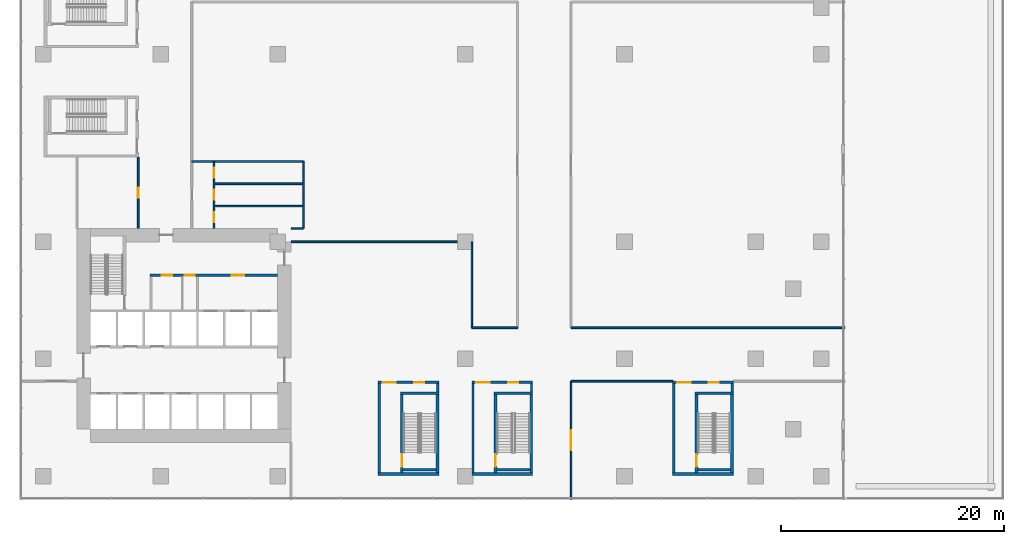
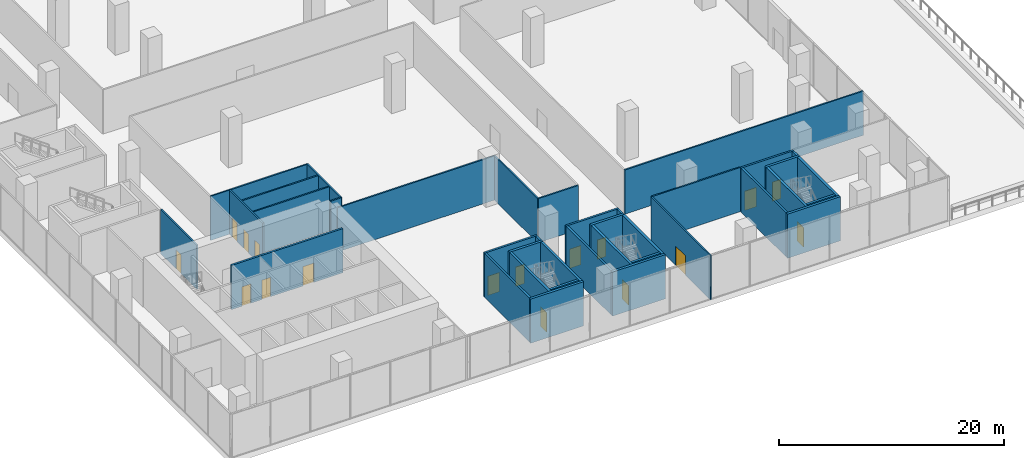
# One storey, part 14 of 23: 38 walls, 17 doors, 17 openings.
"""IFC4 building model written with IfcOpenShell, lengths in metres."""

from ifc_helpers import new_model, si_unit, direction, frame, frame_2d, origin, place, context, subcontext, project, spatial, rectangle, extrude, source, transform, mapped, material, layer, layer_set, type_object, element, fill, save


model = new_model("IFC4")

# Units and contexts
model_context = context("Model", 3, precision=1e-05, world=origin(), true_north=direction((0.0, 1.0)))
body_context = subcontext(model_context, "Body", "Model", "MODEL_VIEW")
ifc_project = project(units=[si_unit("LENGTHUNIT", "METRE"), si_unit("AREAUNIT", "SQUARE_METRE"), si_unit("VOLUMEUNIT", "CUBIC_METRE"), si_unit("PLANEANGLEUNIT", "RADIAN"), si_unit("MASSUNIT", "GRAM", prefix="KILO")], contexts=[model_context])

# Site, building, storey
site_placement = place(None, origin())
site = spatial("IfcSite", under=ifc_project, at=site_placement, CompositionType="ELEMENT")
building_placement = place(site_placement, origin())
building = spatial("IfcBuilding", under=site, at=building_placement, Name="Aurelian Terraces", CompositionType="ELEMENT")
storey_placement = place(building_placement, frame((0.0, 0.0, 18.3)))
storey = spatial("IfcBuildingStorey", under=building, at=storey_placement, Name="L03", CompositionType="ELEMENT", Elevation=18.3)

# Wall, opening, door
ifc_material_1 = material(Name="Concrete fc' 40 MPa", Category="concrete")
ifc_layer_1 = layer(ifc_material_1, 0.25)
ifc_layer_set_1 = layer_set([ifc_layer_1], Name="Stair enclosure wall 250")
wall_type_1 = type_object("IfcWallType", Name="Stair enclosure wall 250", PredefinedType="SOLIDWALL", material=ifc_layer_set_1)
shared_shape_1 = source(origin(), body_context, "Body", "SweptSolid", [
    extrude(rectangle(XDim=7.0, YDim=0.25, at=frame_2d((3.5, 0.0))), origin(), (0.0, 0.0, 1.0), 4.8),
])
wall_1_placement = place(storey_placement, frame((40.525, 0.3, 0.0), z_axis=(0.0, 0.0, 1.0), x_axis=(0.0, 1.0, 0.0)))
wall_1 = element("IfcWall", 1, at=wall_1_placement, inside=storey, type_object=wall_type_1, Name="L03 core wall ST-S2-W", PredefinedType="SOLIDWALL", context=body_context, shape_type="MappedRepresentation", body=[
    mapped(shared_shape_1, transform((0.0, 0.0, 0.0), scale=1.0)),
])
shared_shape_2 = source(origin(), body_context, "Body", "SweptSolid", [
    extrude(rectangle(XDim=1.1, YDim=2.1, at=frame_2d((0.55, 1.05))), frame((0.0, 0.135, 0.0), z_axis=(0.0, -1.0, 0.0), x_axis=(1.0, 0.0, 0.0)), (0.0, 0.0, 1.0), 0.27),
])
opening_1_placement = place(wall_1_placement, frame((0.55, 0.0, 0.0)))
opening_1 = element("IfcOpeningElement", 2, at=opening_1_placement, cuts=wall_1, Name="Opening 60614", PredefinedType="OPENING", context=body_context, shape_type="MappedRepresentation", body=[
    mapped(shared_shape_2, transform((0.0, 0.0, 0.0), scale=1.0)),
])
ifc_material_2 = material(Name="Steel door leaf", Category="steel")
door_type_1 = type_object("IfcDoorType", Name="Core fire door 1100x2100", OperationType="SINGLE_SWING_LEFT", PredefinedType="DOOR", material=ifc_material_2)
shared_shape_3 = source(origin(), body_context, "Body", "SweptSolid", [
    extrude(rectangle(XDim=1.1, YDim=2.1, at=frame_2d((0.55, 1.05))), frame((0.0, 0.025, 0.0), z_axis=(0.0, -1.0, 0.0), x_axis=(1.0, 0.0, 0.0)), (0.0, 0.0, 1.0), 0.05),
])
door_1_placement = place(opening_1_placement, origin())
door_1 = element("IfcDoor", 3, at=door_1_placement, inside=storey, type_object=door_type_1, Name="Stair door 60614", OperationType="SINGLE_SWING_LEFT", OverallHeight=2.1, OverallWidth=1.1, PredefinedType="DOOR", context=body_context, shape_type="MappedRepresentation", body=[
    mapped(shared_shape_3, transform((0.0, 0.0, 0.0), scale=1.0)),
])
fill(opening_1, door_1)

# Wall
wall_2_placement = place(storey_placement, frame((43.725, 0.3, 0.0), z_axis=(0.0, 0.0, 1.0), x_axis=(0.0, 1.0, 0.0)))
element("IfcWall", 4, at=wall_2_placement, inside=storey, type_object=wall_type_1, Name="L03 core wall ST-S2-E", PredefinedType="SOLIDWALL", context=body_context, shape_type="MappedRepresentation", body=[
    mapped(shared_shape_1, transform((0.0, 0.0, 0.0), scale=1.0)),
])

# Wall, opening, door
wall_3_placement = place(storey_placement, frame((58.525, 0.3, 0.0), z_axis=(0.0, 0.0, 1.0), x_axis=(0.0, 1.0, 0.0)))
wall_3 = element("IfcWall", 5, at=wall_3_placement, inside=storey, type_object=wall_type_1, Name="L03 core wall ST-S6-W", PredefinedType="SOLIDWALL", context=body_context, shape_type="MappedRepresentation", body=[
    mapped(shared_shape_1, transform((0.0, 0.0, 0.0), scale=1.0)),
])
opening_2_placement = place(wall_3_placement, frame((0.55, 0.0, 0.0)))
opening_2 = element("IfcOpeningElement", 6, at=opening_2_placement, cuts=wall_3, Name="Opening 60626", PredefinedType="OPENING", context=body_context, shape_type="MappedRepresentation", body=[
    mapped(shared_shape_2, transform((0.0, 0.0, 0.0), scale=1.0)),
])
door_2_placement = place(opening_2_placement, origin())
door_2 = element("IfcDoor", 7, at=door_2_placement, inside=storey, type_object=door_type_1, Name="Stair door 60626", OperationType="SINGLE_SWING_LEFT", OverallHeight=2.1, OverallWidth=1.1, PredefinedType="DOOR", context=body_context, shape_type="MappedRepresentation", body=[
    mapped(shared_shape_3, transform((0.0, 0.0, 0.0), scale=1.0)),
])
fill(opening_2, door_2)

# Wall
wall_4_placement = place(storey_placement, frame((61.725, 0.3, 0.0), z_axis=(0.0, 0.0, 1.0), x_axis=(0.0, 1.0, 0.0)))
element("IfcWall", 8, at=wall_4_placement, inside=storey, type_object=wall_type_1, Name="L03 core wall ST-S6-E", PredefinedType="SOLIDWALL", context=body_context, shape_type="MappedRepresentation", body=[
    mapped(shared_shape_1, transform((0.0, 0.0, 0.0), scale=1.0)),
])

# Wall, opening, door
wall_5_placement = place(storey_placement, frame((32.125, 0.3, 0.0), z_axis=(0.0, 0.0, 1.0), x_axis=(0.0, 1.0, 0.0)))
wall_5 = element("IfcWall", 9, at=wall_5_placement, inside=storey, type_object=wall_type_1, Name="L03 core wall ST-S7-W", PredefinedType="SOLIDWALL", context=body_context, shape_type="MappedRepresentation", body=[
    mapped(shared_shape_1, transform((0.0, 0.0, 0.0), scale=1.0)),
])
opening_3_placement = place(wall_5_placement, frame((0.55, 0.0, 0.0)))
opening_3 = element("IfcOpeningElement", 10, at=opening_3_placement, cuts=wall_5, Name="Opening 60629", PredefinedType="OPENING", context=body_context, shape_type="MappedRepresentation", body=[
    mapped(shared_shape_2, transform((0.0, 0.0, 0.0), scale=1.0)),
])
door_type_2 = type_object("IfcDoorType", Name="Core fire door 1100x2100 right", OperationType="SINGLE_SWING_RIGHT", PredefinedType="DOOR", material=ifc_material_2)
door_3_placement = place(opening_3_placement, origin())
door_3 = element("IfcDoor", 11, at=door_3_placement, inside=storey, type_object=door_type_2, Name="Stair door 60629", OperationType="SINGLE_SWING_RIGHT", OverallHeight=2.1, OverallWidth=1.1, PredefinedType="DOOR", context=body_context, shape_type="MappedRepresentation", body=[
    mapped(shared_shape_3, transform((0.0, 0.0, 0.0), scale=1.0)),
])
fill(opening_3, door_3)

# Walls
wall_6_placement = place(storey_placement, frame((35.325, 0.3, 0.0), z_axis=(0.0, 0.0, 1.0), x_axis=(0.0, 1.0, 0.0)))
element("IfcWall", 12, at=wall_6_placement, inside=storey, type_object=wall_type_1, Name="L03 core wall ST-S7-E", PredefinedType="SOLIDWALL", context=body_context, shape_type="MappedRepresentation", body=[
    mapped(shared_shape_1, transform((0.0, 0.0, 0.0), scale=1.0)),
])
shared_shape_4 = source(origin(), body_context, "Body", "SweptSolid", [
    extrude(rectangle(XDim=3.45, YDim=0.25, at=frame_2d((1.725, 0.0))), origin(), (0.0, 0.0, 1.0), 4.8),
])
for number, where, z_axis, x_axis, name in (
    (13, (40.4, 7.425, 0.0), (0.0, 0.0, 1.0), (1.0, 0.0, 0.0), "L03 core wall ST-S2-N"),
    (14, (58.4, 7.425, 0.0), (0.0, 0.0, 1.0), (1.0, 0.0, 0.0), "L03 core wall ST-S6-N"),
    (15, (32.0, 7.425, 0.0), (0.0, 0.0, 1.0), (1.0, 0.0, 0.0), "L03 core wall ST-S7-N"),
):
    element("IfcWall", number, at=place(storey_placement, frame(where, z_axis=z_axis, x_axis=x_axis)), inside=storey, type_object=wall_type_1, Name=name, PredefinedType="SOLIDWALL", context=body_context, shape_type="MappedRepresentation", body=[
        mapped(shared_shape_4, transform((0.0, 0.0, 0.0), scale=1.0)),
    ])
shared_shape_5 = source(origin(), body_context, "Body", "SweptSolid", [
    extrude(rectangle(XDim=2.95, YDim=0.25, at=frame_2d((1.475, 0.0))), origin(), (0.0, 0.0, 1.0), 4.8),
])
for number, where, z_axis, x_axis, name in (
    (16, (40.65, 0.575, 0.0), (0.0, 0.0, 1.0), (1.0, 0.0, 0.0), "L03 core wall ST-S2-SS"),
    (17, (58.65, 0.575, 0.0), (0.0, 0.0, 1.0), (1.0, 0.0, 0.0), "L03 core wall ST-S6-SS"),
    (18, (32.25, 0.575, 0.0), (0.0, 0.0, 1.0), (1.0, 0.0, 0.0), "L03 core wall ST-S7-SS"),
):
    element("IfcWall", number, at=place(storey_placement, frame(where, z_axis=z_axis, x_axis=x_axis)), inside=storey, type_object=wall_type_1, Name=name, PredefinedType="SOLIDWALL", context=body_context, shape_type="MappedRepresentation", body=[
        mapped(shared_shape_5, transform((0.0, 0.0, 0.0), scale=1.0)),
    ])
ifc_material_3 = material(Name="Gypsum board on steel studs", Category="steel")
ifc_layer_2 = layer(ifc_material_3, 0.2)
ifc_layer_set_2 = layer_set([ifc_layer_2], Name="Core partition 200")
wall_type_2 = type_object("IfcWallType", Name="Core partition 200", PredefinedType="PARTITIONING", material=ifc_layer_set_2)
shared_shape_6 = source(origin(), body_context, "Body", "SweptSolid", [
    extrude(rectangle(XDim=8.0, YDim=0.2, at=frame_2d((4.0, 0.0))), origin(), (0.0, 0.0, 1.0), 4.8),
])
for number, where, z_axis, x_axis, name in (
    (19, (38.5, 0.3, 0.0), (0.0, 0.0, 1.0), (0.0, 1.0, 0.0), "L03 core wall ST-S2-VW"),
    (20, (56.5, 0.3, 0.0), (0.0, 0.0, 1.0), (0.0, 1.0, 0.0), "L03 core wall ST-S6-VW"),
    (21, (30.1, 0.3, 0.0), (0.0, 0.0, 1.0), (0.0, 1.0, 0.0), "L03 core wall ST-S7-VW"),
):
    element("IfcWall", number, at=place(storey_placement, frame(where, z_axis=z_axis, x_axis=x_axis)), inside=storey, type_object=wall_type_2, Name=name, PredefinedType="PARTITIONING", context=body_context, shape_type="MappedRepresentation", body=[
        mapped(shared_shape_6, transform((0.0, 0.0, 0.0), scale=1.0)),
    ])

# Wall, openings, doors
shared_shape_7 = source(origin(), body_context, "Body", "SweptSolid", [
    extrude(rectangle(XDim=5.45, YDim=0.2, at=frame_2d((2.725, 0.0))), origin(), (0.0, 0.0, 1.0), 4.8),
])
wall_7_placement = place(storey_placement, frame((38.4, 8.4, 0.0), z_axis=(0.0, 0.0, 1.0), x_axis=(1.0, 0.0, 0.0)))
wall_7 = element("IfcWall", 22, at=wall_7_placement, inside=storey, type_object=wall_type_2, Name="L03 core wall ST-S2-BN", PredefinedType="PARTITIONING", context=body_context, shape_type="MappedRepresentation", body=[
    mapped(shared_shape_7, transform((0.0, 0.0, 0.0), scale=1.0)),
])
shared_shape_8 = source(origin(), body_context, "Body", "SweptSolid", [
    extrude(rectangle(XDim=1.2, YDim=2.1, at=frame_2d((0.6, 1.05))), frame((0.0, 0.11, 0.0), z_axis=(0.0, -1.0, 0.0), x_axis=(1.0, 0.0, 0.0)), (0.0, 0.0, 1.0), 0.22),
])
opening_4_placement = place(wall_7_placement, frame((0.4, 0.0, 0.0)))
opening_4 = element("IfcOpeningElement", 23, at=opening_4_placement, cuts=wall_7, Name="Opening 60615", PredefinedType="OPENING", context=body_context, shape_type="MappedRepresentation", body=[
    mapped(shared_shape_8, transform((0.0, 0.0, 0.0), scale=1.0)),
])
shared_shape_9 = source(origin(), body_context, "Body", "SweptSolid", [
    extrude(rectangle(XDim=0.9, YDim=2.1, at=frame_2d((0.45, 1.05))), frame((0.0, 0.11, 0.0), z_axis=(0.0, -1.0, 0.0), x_axis=(1.0, 0.0, 0.0)), (0.0, 0.0, 1.0), 0.22),
])
opening_5_placement = place(wall_7_placement, frame((3.25, 0.0, 0.0)))
opening_5 = element("IfcOpeningElement", 24, at=opening_5_placement, cuts=wall_7, Name="Opening 60616", PredefinedType="OPENING", context=body_context, shape_type="MappedRepresentation", body=[
    mapped(shared_shape_9, transform((0.0, 0.0, 0.0), scale=1.0)),
])
door_type_3 = type_object("IfcDoorType", Name="Core riser door 900x2100", OperationType="SINGLE_SWING_LEFT", PredefinedType="DOOR", material=ifc_material_2)
shared_shape_10 = source(origin(), body_context, "Body", "SweptSolid", [
    extrude(rectangle(XDim=0.9, YDim=2.1, at=frame_2d((0.45, 1.05))), frame((0.0, 0.025, 0.0), z_axis=(0.0, -1.0, 0.0), x_axis=(1.0, 0.0, 0.0)), (0.0, 0.0, 1.0), 0.05),
])
door_4_placement = place(opening_5_placement, origin())
door_4 = element("IfcDoor", 25, at=door_4_placement, inside=storey, type_object=door_type_3, Name="Riser door 60616", OperationType="SINGLE_SWING_LEFT", OverallHeight=2.1, OverallWidth=0.9, PredefinedType="DOOR", context=body_context, shape_type="MappedRepresentation", body=[
    mapped(shared_shape_10, transform((0.0, 0.0, 0.0), scale=1.0)),
])
fill(opening_5, door_4)
door_type_4 = type_object("IfcDoorType", Name="Core fire door 1200x2100 right", OperationType="SINGLE_SWING_RIGHT", PredefinedType="DOOR", material=ifc_material_2)
shared_shape_11 = source(origin(), body_context, "Body", "SweptSolid", [
    extrude(rectangle(XDim=1.2, YDim=2.1, at=frame_2d((0.6, 1.05))), frame((0.0, 0.025, 0.0), z_axis=(0.0, -1.0, 0.0), x_axis=(1.0, 0.0, 0.0)), (0.0, 0.0, 1.0), 0.05),
])
door_5_placement = place(opening_4_placement, origin())
door_5 = element("IfcDoor", 26, at=door_5_placement, inside=storey, type_object=door_type_4, Name="Vestibule door 60615", OperationType="SINGLE_SWING_RIGHT", OverallHeight=2.1, OverallWidth=1.2, PredefinedType="DOOR", context=body_context, shape_type="MappedRepresentation", body=[
    mapped(shared_shape_11, transform((0.0, 0.0, 0.0), scale=1.0)),
])
fill(opening_4, door_5)

wall_8_placement = place(storey_placement, frame((56.4, 8.4, 0.0), z_axis=(0.0, 0.0, 1.0), x_axis=(1.0, 0.0, 0.0)))
wall_8 = element("IfcWall", 27, at=wall_8_placement, inside=storey, type_object=wall_type_2, Name="L03 core wall ST-S6-BN", PredefinedType="PARTITIONING", context=body_context, shape_type="MappedRepresentation", body=[
    mapped(shared_shape_7, transform((0.0, 0.0, 0.0), scale=1.0)),
])
opening_6_placement = place(wall_8_placement, frame((0.4, 0.0, 0.0)))
opening_6 = element("IfcOpeningElement", 28, at=opening_6_placement, cuts=wall_8, Name="Opening 60627", PredefinedType="OPENING", context=body_context, shape_type="MappedRepresentation", body=[
    mapped(shared_shape_8, transform((0.0, 0.0, 0.0), scale=1.0)),
])
opening_7_placement = place(wall_8_placement, frame((3.25, 0.0, 0.0)))
opening_7 = element("IfcOpeningElement", 29, at=opening_7_placement, cuts=wall_8, Name="Opening 60628", PredefinedType="OPENING", context=body_context, shape_type="MappedRepresentation", body=[
    mapped(shared_shape_9, transform((0.0, 0.0, 0.0), scale=1.0)),
])
door_6_placement = place(opening_7_placement, origin())
door_6 = element("IfcDoor", 30, at=door_6_placement, inside=storey, type_object=door_type_3, Name="Riser door 60628", OperationType="SINGLE_SWING_LEFT", OverallHeight=2.1, OverallWidth=0.9, PredefinedType="DOOR", context=body_context, shape_type="MappedRepresentation", body=[
    mapped(shared_shape_10, transform((0.0, 0.0, 0.0), scale=1.0)),
])
fill(opening_7, door_6)
door_7_placement = place(opening_6_placement, origin())
door_7 = element("IfcDoor", 31, at=door_7_placement, inside=storey, type_object=door_type_4, Name="Vestibule door 60627", OperationType="SINGLE_SWING_RIGHT", OverallHeight=2.1, OverallWidth=1.2, PredefinedType="DOOR", context=body_context, shape_type="MappedRepresentation", body=[
    mapped(shared_shape_11, transform((0.0, 0.0, 0.0), scale=1.0)),
])
fill(opening_6, door_7)

wall_9_placement = place(storey_placement, frame((30.0, 8.4, 0.0), z_axis=(0.0, 0.0, 1.0), x_axis=(1.0, 0.0, 0.0)))
wall_9 = element("IfcWall", 32, at=wall_9_placement, inside=storey, type_object=wall_type_2, Name="L03 core wall ST-S7-BN", PredefinedType="PARTITIONING", context=body_context, shape_type="MappedRepresentation", body=[
    mapped(shared_shape_7, transform((0.0, 0.0, 0.0), scale=1.0)),
])
opening_8_placement = place(wall_9_placement, frame((0.4, 0.0, 0.0)))
opening_8 = element("IfcOpeningElement", 33, at=opening_8_placement, cuts=wall_9, Name="Opening 60630", PredefinedType="OPENING", context=body_context, shape_type="MappedRepresentation", body=[
    mapped(shared_shape_8, transform((0.0, 0.0, 0.0), scale=1.0)),
])
opening_9_placement = place(wall_9_placement, frame((3.25, 0.0, 0.0)))
opening_9 = element("IfcOpeningElement", 34, at=opening_9_placement, cuts=wall_9, Name="Opening 60631", PredefinedType="OPENING", context=body_context, shape_type="MappedRepresentation", body=[
    mapped(shared_shape_9, transform((0.0, 0.0, 0.0), scale=1.0)),
])
door_type_5 = type_object("IfcDoorType", Name="Core riser door 900x2100 right", OperationType="SINGLE_SWING_RIGHT", PredefinedType="DOOR", material=ifc_material_2)
door_8_placement = place(opening_9_placement, origin())
door_8 = element("IfcDoor", 35, at=door_8_placement, inside=storey, type_object=door_type_5, Name="Riser door 60631", OperationType="SINGLE_SWING_RIGHT", OverallHeight=2.1, OverallWidth=0.9, PredefinedType="DOOR", context=body_context, shape_type="MappedRepresentation", body=[
    mapped(shared_shape_10, transform((0.0, 0.0, 0.0), scale=1.0)),
])
fill(opening_9, door_8)
door_type_6 = type_object("IfcDoorType", Name="Core fire door 1200x2100", OperationType="SINGLE_SWING_LEFT", PredefinedType="DOOR", material=ifc_material_2)
door_9_placement = place(opening_8_placement, origin())
door_9 = element("IfcDoor", 36, at=door_9_placement, inside=storey, type_object=door_type_6, Name="Vestibule door 60630", OperationType="SINGLE_SWING_LEFT", OverallHeight=2.1, OverallWidth=1.2, PredefinedType="DOOR", context=body_context, shape_type="MappedRepresentation", body=[
    mapped(shared_shape_11, transform((0.0, 0.0, 0.0), scale=1.0)),
])
fill(opening_8, door_9)

# Walls
shared_shape_12 = source(origin(), body_context, "Body", "SweptSolid", [
    extrude(rectangle(XDim=0.75, YDim=0.2, at=frame_2d((0.375, 0.0))), origin(), (0.0, 0.0, 1.0), 4.8),
])
for number, where, z_axis, x_axis, name in (
    (37, (43.75, 7.55, 0.0), (0.0, 0.0, 1.0), (0.0, 1.0, 0.0), "L03 core wall ST-S2-RE"),
    (38, (61.75, 7.55, 0.0), (0.0, 0.0, 1.0), (0.0, 1.0, 0.0), "L03 core wall ST-S6-RE"),
    (39, (35.35, 7.55, 0.0), (0.0, 0.0, 1.0), (0.0, 1.0, 0.0), "L03 core wall ST-S7-RE"),
):
    element("IfcWall", number, at=place(storey_placement, frame(where, z_axis=z_axis, x_axis=x_axis)), inside=storey, type_object=wall_type_2, Name=name, PredefinedType="PARTITIONING", context=body_context, shape_type="MappedRepresentation", body=[
        mapped(shared_shape_12, transform((0.0, 0.0, 0.0), scale=1.0)),
    ])
shared_shape_13 = source(origin(), body_context, "Body", "SweptSolid", [
    extrude(rectangle(XDim=5.45, YDim=0.25, at=frame_2d((2.725, 0.0))), origin(), (0.0, 0.0, 1.0), 4.8),
])
for number, where, z_axis, x_axis, name in (
    (40, (38.4, 0.175, 0.0), (0.0, 0.0, 1.0), (1.0, 0.0, 0.0), "L03 core wall ST-S2-S"),
    (41, (56.4, 0.175, 0.0), (0.0, 0.0, 1.0), (1.0, 0.0, 0.0), "L03 core wall ST-S6-S"),
    (42, (30.0, 0.175, 0.0), (0.0, 0.0, 1.0), (1.0, 0.0, 0.0), "L03 core wall ST-S7-S"),
):
    element("IfcWall", number, at=place(storey_placement, frame(where, z_axis=z_axis, x_axis=x_axis)), inside=storey, type_object=wall_type_1, Name=name, PredefinedType="SOLIDWALL", context=body_context, shape_type="MappedRepresentation", body=[
        mapped(shared_shape_13, transform((0.0, 0.0, 0.0), scale=1.0)),
    ])

# Wall, openings, doors
shared_shape_14 = source(origin(), body_context, "Body", "SweptSolid", [
    extrude(rectangle(XDim=11.45, YDim=0.2, at=frame_2d((5.725, 0.0))), origin(), (0.0, 0.0, 1.0), 4.8),
])
wall_10_placement = place(storey_placement, frame((9.55, 18.0, 0.0), z_axis=(0.0, 0.0, 1.0), x_axis=(1.0, 0.0, 0.0)))
wall_10 = element("IfcWall", 43, at=wall_10_placement, inside=storey, type_object=wall_type_2, Name="L03 core wall CP-NORTH", PredefinedType="PARTITIONING", context=body_context, shape_type="MappedRepresentation", body=[
    mapped(shared_shape_14, transform((0.0, 0.0, 0.0), scale=1.0)),
])
opening_10_placement = place(wall_10_placement, frame((1.075, 0.0, 0.0)))
opening_10 = element("IfcOpeningElement", 44, at=opening_10_placement, cuts=wall_10, Name="Opening 60611", PredefinedType="OPENING", context=body_context, shape_type="MappedRepresentation", body=[
    mapped(shared_shape_9, transform((0.0, 0.0, 0.0), scale=1.0)),
])
opening_11_placement = place(wall_10_placement, frame((3.125, 0.0, 0.0)))
opening_11 = element("IfcOpeningElement", 45, at=opening_11_placement, cuts=wall_10, Name="Opening 60612", PredefinedType="OPENING", context=body_context, shape_type="MappedRepresentation", body=[
    mapped(shared_shape_9, transform((0.0, 0.0, 0.0), scale=1.0)),
])
shared_shape_15 = source(origin(), body_context, "Body", "SweptSolid", [
    extrude(rectangle(XDim=1.1, YDim=2.1, at=frame_2d((0.55, 1.05))), frame((0.0, 0.11, 0.0), z_axis=(0.0, -1.0, 0.0), x_axis=(1.0, 0.0, 0.0)), (0.0, 0.0, 1.0), 0.22),
])
opening_12_placement = place(wall_10_placement, frame((7.35, 0.0, 0.0)))
opening_12 = element("IfcOpeningElement", 46, at=opening_12_placement, cuts=wall_10, Name="Opening 60613", PredefinedType="OPENING", context=body_context, shape_type="MappedRepresentation", body=[
    mapped(shared_shape_15, transform((0.0, 0.0, 0.0), scale=1.0)),
])
door_type_7 = type_object("IfcDoorType", Name="Core service door 900x2100 right", OperationType="SINGLE_SWING_RIGHT", PredefinedType="DOOR", material=ifc_material_2)
door_10_placement = place(opening_10_placement, origin())
door_10 = element("IfcDoor", 47, at=door_10_placement, inside=storey, type_object=door_type_7, Name="Room door 60611", OperationType="SINGLE_SWING_RIGHT", OverallHeight=2.1, OverallWidth=0.9, PredefinedType="DOOR", context=body_context, shape_type="MappedRepresentation", body=[
    mapped(shared_shape_10, transform((0.0, 0.0, 0.0), scale=1.0)),
])
fill(opening_10, door_10)
door_11_placement = place(opening_11_placement, origin())
door_11 = element("IfcDoor", 48, at=door_11_placement, inside=storey, type_object=door_type_3, Name="Room door 60612", OperationType="SINGLE_SWING_LEFT", OverallHeight=2.1, OverallWidth=0.9, PredefinedType="DOOR", context=body_context, shape_type="MappedRepresentation", body=[
    mapped(shared_shape_10, transform((0.0, 0.0, 0.0), scale=1.0)),
])
fill(opening_11, door_11)
door_12_placement = place(opening_12_placement, origin())
door_12 = element("IfcDoor", 49, at=door_12_placement, inside=storey, type_object=door_type_2, Name="Ff lobby door 60613", OperationType="SINGLE_SWING_RIGHT", OverallHeight=2.1, OverallWidth=1.1, PredefinedType="DOOR", context=body_context, shape_type="MappedRepresentation", body=[
    mapped(shared_shape_3, transform((0.0, 0.0, 0.0), scale=1.0)),
])
fill(opening_12, door_12)

# Walls
ifc_layer_3 = layer(ifc_material_3, 0.15)
ifc_layer_set_3 = layer_set([ifc_layer_3], Name="Special partition 150")
wall_type_3 = type_object("IfcWallType", Name="Special partition 150", PredefinedType="PARTITIONING", material=ifc_layer_set_3)
shared_shape_16 = source(origin(), body_context, "Body", "SweptSolid", [
    extrude(rectangle(XDim=8.0, YDim=0.15, at=frame_2d((4.0, 0.0))), origin(), (0.0, 0.0, 1.0), 4.8),
])
for number, where, z_axis, x_axis, name in (
    (50, (15.3, 24.2, 0.0), (0.0, 0.0, 1.0), (1.0, 0.0, 0.0), "L03 partition W08"),
    (51, (15.3, 26.2, 0.0), (0.0, 0.0, 1.0), (1.0, 0.0, 0.0), "L03 partition W09"),
):
    element("IfcWall", number, at=place(storey_placement, frame(where, z_axis=z_axis, x_axis=x_axis)), inside=storey, type_object=wall_type_3, Name=name, PredefinedType="PARTITIONING", context=body_context, shape_type="MappedRepresentation", body=[
        mapped(shared_shape_16, transform((0.0, 0.0, 0.0), scale=1.0)),
    ])

# Wall, opening, door
shared_shape_17 = source(origin(), body_context, "Body", "SweptSolid", [
    extrude(rectangle(XDim=10.6, YDim=0.15, at=frame_2d((5.3, 0.0))), origin(), (0.0, 0.0, 1.0), 4.8),
])
wall_11_placement = place(storey_placement, frame((47.3, -2.1, 0.0), z_axis=(0.0, 0.0, 1.0), x_axis=(0.0, 1.0, 0.0)))
wall_11 = element("IfcWall", 52, at=wall_11_placement, inside=storey, type_object=wall_type_3, Name="L03 partition W28", PredefinedType="PARTITIONING", context=body_context, shape_type="MappedRepresentation", body=[
    mapped(shared_shape_17, transform((0.0, 0.0, 0.0), scale=1.0)),
])
shared_shape_18 = source(origin(), body_context, "Body", "SweptSolid", [
    extrude(rectangle(XDim=1.8, YDim=2.1, at=frame_2d((0.9, 1.05))), frame((0.0, 0.085, 0.0), z_axis=(0.0, -1.0, 0.0), x_axis=(1.0, 0.0, 0.0)), (0.0, 0.0, 1.0), 0.17),
])
opening_13_placement = place(wall_11_placement, frame((4.4, 0.0, 0.0)))
opening_13 = element("IfcOpeningElement", 53, at=opening_13_placement, cuts=wall_11, Name="Opening 70610", PredefinedType="OPENING", context=body_context, shape_type="MappedRepresentation", body=[
    mapped(shared_shape_18, transform((0.0, 0.0, 0.0), scale=1.0)),
])
ifc_material_4 = material(Name="Timber door leaf", Category="wood")
door_type_8 = type_object("IfcDoorType", Name="Special double door 1800x2100", OperationType="DOUBLE_DOOR_SINGLE_SWING", PredefinedType="DOOR", material=ifc_material_4)
shared_shape_19 = source(origin(), body_context, "Body", "SweptSolid", [
    extrude(rectangle(XDim=1.8, YDim=2.1, at=frame_2d((0.9, 1.05))), frame((0.0, 0.025, 0.0), z_axis=(0.0, -1.0, 0.0), x_axis=(1.0, 0.0, 0.0)), (0.0, 0.0, 1.0), 0.05),
])
door_13_placement = place(opening_13_placement, origin())
door_13 = element("IfcDoor", 54, at=door_13_placement, inside=storey, type_object=door_type_8, Name="Door 70610", OperationType="DOUBLE_DOOR_SINGLE_SWING", OverallHeight=2.1, OverallWidth=1.8, PredefinedType="DOOR", context=body_context, shape_type="MappedRepresentation", body=[
    mapped(shared_shape_19, transform((0.0, 0.0, 0.0), scale=1.0)),
])
fill(opening_13, door_13)

shared_shape_20 = source(origin(), body_context, "Body", "SweptSolid", [
    extrude(rectangle(XDim=6.4, YDim=0.15, at=frame_2d((3.2, 0.0))), origin(), (0.0, 0.0, 1.0), 4.8),
])
wall_12_placement = place(storey_placement, frame((8.5, 22.2, 0.0), z_axis=(0.0, 0.0, 1.0), x_axis=(0.0, 1.0, 0.0)))
wall_12 = element("IfcWall", 55, at=wall_12_placement, inside=storey, type_object=wall_type_3, Name="L03 partition W17", PredefinedType="PARTITIONING", context=body_context, shape_type="MappedRepresentation", body=[
    mapped(shared_shape_20, transform((0.0, 0.0, 0.0), scale=1.0)),
])
shared_shape_21 = source(origin(), body_context, "Body", "SweptSolid", [
    extrude(rectangle(XDim=0.9, YDim=2.1, at=frame_2d((0.45, 1.05))), frame((0.0, 0.085, 0.0), z_axis=(0.0, -1.0, 0.0), x_axis=(1.0, 0.0, 0.0)), (0.0, 0.0, 1.0), 0.17),
])
opening_14_placement = place(wall_12_placement, frame((2.75, 0.0, 0.0)))
opening_14 = element("IfcOpeningElement", 56, at=opening_14_placement, cuts=wall_12, Name="Opening 70603", PredefinedType="OPENING", context=body_context, shape_type="MappedRepresentation", body=[
    mapped(shared_shape_21, transform((0.0, 0.0, 0.0), scale=1.0)),
])
door_type_9 = type_object("IfcDoorType", Name="Special door 900x2100 right", OperationType="SINGLE_SWING_RIGHT", PredefinedType="DOOR", material=ifc_material_4)
door_14_placement = place(opening_14_placement, origin())
door_14 = element("IfcDoor", 57, at=door_14_placement, inside=storey, type_object=door_type_9, Name="Door 70603", OperationType="SINGLE_SWING_RIGHT", OverallHeight=2.1, OverallWidth=0.9, PredefinedType="DOOR", context=body_context, shape_type="MappedRepresentation", body=[
    mapped(shared_shape_10, transform((0.0, 0.0, 0.0), scale=1.0)),
])
fill(opening_14, door_14)

# Wall, openings, doors
shared_shape_22 = source(origin(), body_context, "Body", "SweptSolid", [
    extrude(rectangle(XDim=6.0, YDim=0.15, at=frame_2d((3.0, 0.0))), origin(), (0.0, 0.0, 1.0), 4.8),
])
wall_13_placement = place(storey_placement, frame((15.3, 22.2, 0.0), z_axis=(0.0, 0.0, 1.0), x_axis=(0.0, 1.0, 0.0)))
wall_13 = element("IfcWall", 58, at=wall_13_placement, inside=storey, type_object=wall_type_3, Name="L03 partition W22", PredefinedType="PARTITIONING", context=body_context, shape_type="MappedRepresentation", body=[
    mapped(shared_shape_22, transform((0.0, 0.0, 0.0), scale=1.0)),
])
opening_15_placement = place(wall_13_placement, frame((0.55, 0.0, 0.0)))
opening_15 = element("IfcOpeningElement", 59, at=opening_15_placement, cuts=wall_13, Name="Opening 70606", PredefinedType="OPENING", context=body_context, shape_type="MappedRepresentation", body=[
    mapped(shared_shape_21, transform((0.0, 0.0, 0.0), scale=1.0)),
])
opening_16_placement = place(wall_13_placement, frame((2.55, 0.0, 0.0)))
opening_16 = element("IfcOpeningElement", 60, at=opening_16_placement, cuts=wall_13, Name="Opening 70607", PredefinedType="OPENING", context=body_context, shape_type="MappedRepresentation", body=[
    mapped(shared_shape_21, transform((0.0, 0.0, 0.0), scale=1.0)),
])
opening_17_placement = place(wall_13_placement, frame((4.55, 0.0, 0.0)))
opening_17 = element("IfcOpeningElement", 61, at=opening_17_placement, cuts=wall_13, Name="Opening 70608", PredefinedType="OPENING", context=body_context, shape_type="MappedRepresentation", body=[
    mapped(shared_shape_21, transform((0.0, 0.0, 0.0), scale=1.0)),
])
door_type_10 = type_object("IfcDoorType", Name="Special door 900x2100", OperationType="SINGLE_SWING_LEFT", PredefinedType="DOOR", material=ifc_material_4)
door_15_placement = place(opening_15_placement, origin())
door_15 = element("IfcDoor", 62, at=door_15_placement, inside=storey, type_object=door_type_10, Name="Door 70606", OperationType="SINGLE_SWING_LEFT", OverallHeight=2.1, OverallWidth=0.9, PredefinedType="DOOR", context=body_context, shape_type="MappedRepresentation", body=[
    mapped(shared_shape_10, transform((0.0, 0.0, 0.0), scale=1.0)),
])
fill(opening_15, door_15)
door_16_placement = place(opening_16_placement, origin())
door_16 = element("IfcDoor", 63, at=door_16_placement, inside=storey, type_object=door_type_9, Name="Door 70607", OperationType="SINGLE_SWING_RIGHT", OverallHeight=2.1, OverallWidth=0.9, PredefinedType="DOOR", context=body_context, shape_type="MappedRepresentation", body=[
    mapped(shared_shape_10, transform((0.0, 0.0, 0.0), scale=1.0)),
])
fill(opening_16, door_16)
door_17_placement = place(opening_17_placement, origin())
door_17 = element("IfcDoor", 64, at=door_17_placement, inside=storey, type_object=door_type_10, Name="Door 70608", OperationType="SINGLE_SWING_LEFT", OverallHeight=2.1, OverallWidth=0.9, PredefinedType="DOOR", context=body_context, shape_type="MappedRepresentation", body=[
    mapped(shared_shape_10, transform((0.0, 0.0, 0.0), scale=1.0)),
])
fill(opening_17, door_17)

# Walls
wall_14_placement = place(storey_placement, frame((23.3, 22.2, 0.0), z_axis=(0.0, 0.0, 1.0), x_axis=(0.0, 1.0, 0.0)))
element("IfcWall", 65, at=wall_14_placement, inside=storey, type_object=wall_type_3, Name="L03 partition W24", PredefinedType="PARTITIONING", context=body_context, shape_type="MappedRepresentation", body=[
    mapped(shared_shape_22, transform((0.0, 0.0, 0.0), scale=1.0)),
])
shared_shape_23 = source(origin(), body_context, "Body", "SweptSolid", [
    extrude(rectangle(XDim=9.1, YDim=0.15, at=frame_2d((4.55, 0.0))), origin(), (0.0, 0.0, 1.0), 4.8),
])
wall_15_placement = place(storey_placement, frame((47.3, 8.5, 0.0), z_axis=(0.0, 0.0, 1.0), x_axis=(1.0, 0.0, 0.0)))
element("IfcWall", 66, at=wall_15_placement, inside=storey, type_object=wall_type_3, Name="L03 partition W02", PredefinedType="PARTITIONING", context=body_context, shape_type="MappedRepresentation", body=[
    mapped(shared_shape_23, transform((0.0, 0.0, 0.0), scale=1.0)),
])
shared_shape_24 = source(origin(), body_context, "Body", "SweptSolid", [
    extrude(rectangle(XDim=4.1, YDim=0.15, at=frame_2d((2.05, 0.0))), origin(), (0.0, 0.0, 1.0), 4.8),
])
wall_16_placement = place(storey_placement, frame((38.4, 13.3, 0.0), z_axis=(0.0, 0.0, 1.0), x_axis=(1.0, 0.0, 0.0)))
element("IfcWall", 67, at=wall_16_placement, inside=storey, type_object=wall_type_3, Name="L03 partition W04", PredefinedType="PARTITIONING", context=body_context, shape_type="MappedRepresentation", body=[
    mapped(shared_shape_24, transform((0.0, 0.0, 0.0), scale=1.0)),
])
shared_shape_25 = source(origin(), body_context, "Body", "SweptSolid", [
    extrude(rectangle(XDim=16.2, YDim=0.15, at=frame_2d((8.1, 0.0))), origin(), (0.0, 0.0, 1.0), 4.8),
])
wall_17_placement = place(storey_placement, frame((22.2, 21.0, 0.0), z_axis=(0.0, 0.0, 1.0), x_axis=(1.0, 0.0, 0.0)))
element("IfcWall", 68, at=wall_17_placement, inside=storey, type_object=wall_type_3, Name="L03 partition W06", PredefinedType="PARTITIONING", context=body_context, shape_type="MappedRepresentation", body=[
    mapped(shared_shape_25, transform((0.0, 0.0, 0.0), scale=1.0)),
])
shared_shape_26 = source(origin(), body_context, "Body", "SweptSolid", [
    extrude(rectangle(XDim=1.1, YDim=0.15, at=frame_2d((0.55, 0.0))), origin(), (0.0, 0.0, 1.0), 4.8),
])
wall_18_placement = place(storey_placement, frame((22.2, 22.2, 0.0), z_axis=(0.0, 0.0, 1.0), x_axis=(1.0, 0.0, 0.0)))
element("IfcWall", 69, at=wall_18_placement, inside=storey, type_object=wall_type_3, Name="L03 partition W07", PredefinedType="PARTITIONING", context=body_context, shape_type="MappedRepresentation", body=[
    mapped(shared_shape_26, transform((0.0, 0.0, 0.0), scale=1.0)),
])
shared_shape_27 = source(origin(), body_context, "Body", "SweptSolid", [
    extrude(rectangle(XDim=10.0, YDim=0.15, at=frame_2d((5.0, 0.0))), origin(), (0.0, 0.0, 1.0), 4.8),
])
wall_19_placement = place(storey_placement, frame((13.3, 28.2, 0.0), z_axis=(0.0, 0.0, 1.0), x_axis=(1.0, 0.0, 0.0)))
element("IfcWall", 70, at=wall_19_placement, inside=storey, type_object=wall_type_3, Name="L03 partition W10", PredefinedType="PARTITIONING", context=body_context, shape_type="MappedRepresentation", body=[
    mapped(shared_shape_27, transform((0.0, 0.0, 0.0), scale=1.0)),
])
shared_shape_28 = source(origin(), body_context, "Body", "SweptSolid", [
    extrude(rectangle(XDim=7.7, YDim=0.15, at=frame_2d((3.85, 0.0))), origin(), (0.0, 0.0, 1.0), 4.8),
])
wall_20_placement = place(storey_placement, frame((38.4, 13.3, 0.0), z_axis=(0.0, 0.0, 1.0), x_axis=(0.0, 1.0, 0.0)))
element("IfcWall", 71, at=wall_20_placement, inside=storey, type_object=wall_type_3, Name="L03 partition W25", PredefinedType="PARTITIONING", context=body_context, shape_type="MappedRepresentation", body=[
    mapped(shared_shape_28, transform((0.0, 0.0, 0.0), scale=1.0)),
])
shared_shape_29 = source(origin(), body_context, "Body", "SweptSolid", [
    extrude(rectangle(XDim=24.52, YDim=0.15, at=frame_2d((12.26, 0.0))), origin(), (0.0, 0.0, 1.0), 4.8),
])
wall_21_placement = place(storey_placement, frame((47.3, 13.3, 0.0), z_axis=(0.0, 0.0, 1.0), x_axis=(1.0, 0.0, 0.0)))
element("IfcWall", 72, at=wall_21_placement, inside=storey, type_object=wall_type_3, Name="L03 partition W05", PredefinedType="PARTITIONING", context=body_context, shape_type="MappedRepresentation", body=[
    mapped(shared_shape_29, transform((0.0, 0.0, 0.0), scale=1.0)),
])

save(model, "model.ifc")
